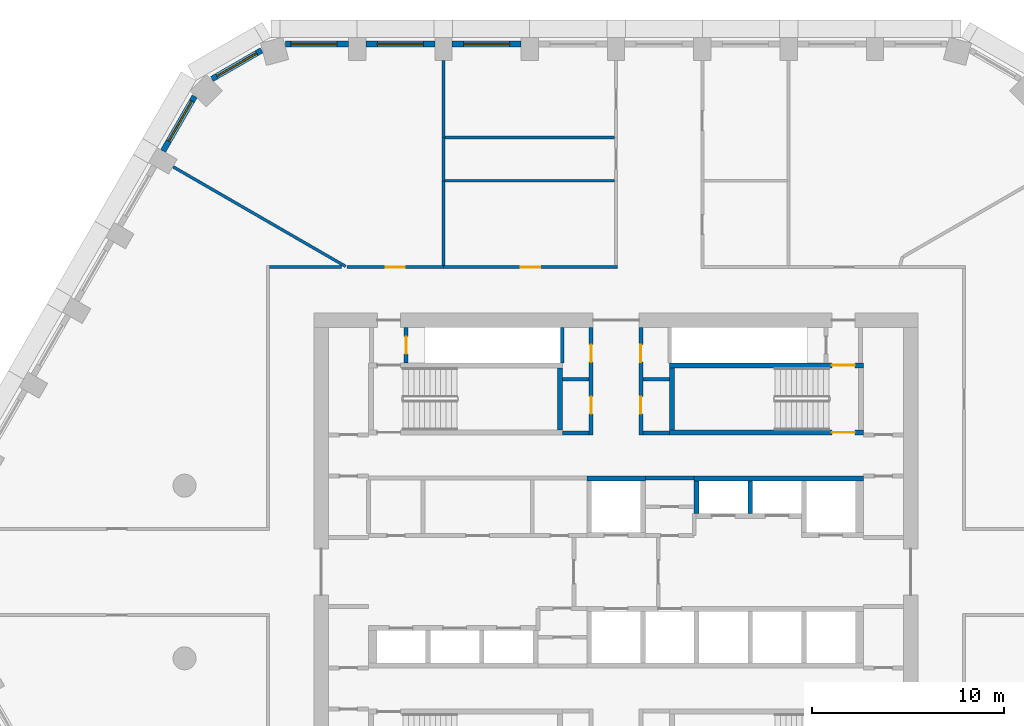
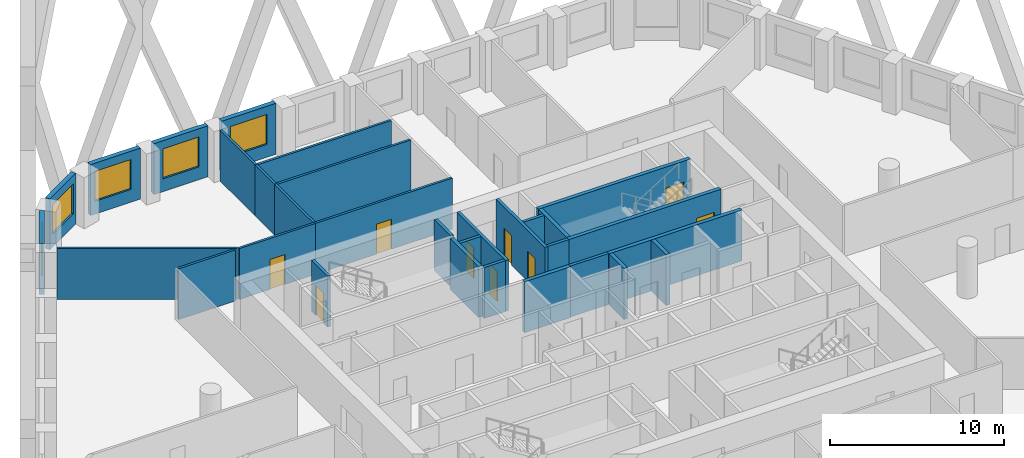
# One storey, part 6 of 17: 31 walls, 9 doors, 5 windows, 14 openings.
"""IFC4 building model written with IfcOpenShell, lengths in metres."""

from ifc_helpers import new_model, si_unit, direction, frame, frame_2d, origin, place, context, subcontext, project, spatial, polyline, rectangle, outline, extrude, material, layer, layer_set, type_object, element, fill, save


model = new_model("IFC4")

# Units and contexts
model_context = context("Model", 3, precision=1e-05, world=origin(), true_north=direction((0.0, 1.0)))
body_context = subcontext(model_context, "Body", "Model", "MODEL_VIEW")
ifc_project = project(units=[si_unit("LENGTHUNIT", "METRE"), si_unit("AREAUNIT", "SQUARE_METRE"), si_unit("VOLUMEUNIT", "CUBIC_METRE"), si_unit("PLANEANGLEUNIT", "RADIAN"), si_unit("MASSUNIT", "GRAM", prefix="KILO")], contexts=[model_context])

# Site, building, storey
site_placement = place(None, origin())
site = spatial("IfcSite", under=ifc_project, at=site_placement, CompositionType="ELEMENT")
building_placement = place(site_placement, origin())
building = spatial("IfcBuilding", under=site, at=building_placement, Name="Dhurran Vertical Campus", CompositionType="ELEMENT")
storey_placement = place(building_placement, frame((0.0, 0.0, 156.0)))
storey = spatial("IfcBuildingStorey", under=building, at=storey_placement, Name="L38", CompositionType="ELEMENT", Elevation=156.0)

# Wall, opening, window
ifc_material_1 = material(Name="Precast concrete C50/60", Category="concrete")
ifc_layer_1 = layer(ifc_material_1, 0.300048828125)
ifc_layer_set_1 = layer_set([ifc_layer_1], Name="Precast concrete C50/60")
wall_type_1 = type_object("IfcWallType", Name="Precast spandrel wall 300", PredefinedType="SOLIDWALL", material=ifc_layer_set_1)
wall_1_placement = place(storey_placement, frame((-4.950439453125, 27.53271484375, 0.0), z_axis=(0.0, 0.0, 1.0), x_axis=(-1.0, 0.0, 0.0)))
wall_1 = element("IfcWall", 1, at=wall_1_placement, inside=storey, type_object=wall_type_1, Name="EW1 L38.28", PredefinedType="SOLIDWALL", context=body_context, shape_type="SweptSolid", body=[
    extrude(rectangle(XDim=3.59912109375, YDim=0.300048828125, at=frame_2d((1.799560546875, 0.0))), origin(), (0.0, 0.0, 1.0), 3.574951171875),
])
opening_1_placement = place(wall_1_placement, frame((0.599609375, 0.0, 0.89990234375)))
opening_1 = element("IfcOpeningElement", 2, at=opening_1_placement, cuts=wall_1, Name="Opening WT1", PredefinedType="OPENING", context=body_context, shape_type="SweptSolid", body=[
    extrude(rectangle(XDim=2.39990234375, YDim=2.10009765625, at=frame_2d((1.199951171875, 1.050048828125))), frame((0.0, 0.159912109375, 0.0), z_axis=(0.0, -1.0, 0.0), x_axis=(1.0, 0.0, 0.0)), (0.0, 0.0, 1.0), 0.320068359375),
])
ifc_material_2 = material(Name="Aluminium frame with solar-control glass", Category="aluminium")
window_type = type_object("IfcWindowType", Name="Punched window 2400 x 2100", PartitioningType="SINGLE_PANEL", PredefinedType="WINDOW", material=ifc_material_2)
window_1_placement = place(opening_1_placement, origin())
window_1 = element("IfcWindow", 3, at=window_1_placement, inside=storey, type_object=window_type, Name="WT1 L38.28", OverallHeight=2.10009765625, OverallWidth=2.39990234375, PartitioningType="SINGLE_PANEL", PredefinedType="WINDOW", context=body_context, shape_type="SweptSolid", body=[
    extrude(rectangle(XDim=2.39990234375, YDim=2.10009765625, at=frame_2d((1.199951171875, 1.050048828125))), frame((0.0, 0.030029296875, 0.0), z_axis=(0.0, -1.0, 0.0), x_axis=(1.0, 0.0, 0.0)), (0.0, 0.0, 1.0), 0.06005859375),
])
fill(opening_1, window_1)

wall_2_placement = place(storey_placement, frame((-9.450439453125, 27.53271484375, 0.0), z_axis=(0.0, 0.0, 1.0), x_axis=(-1.0, 0.0, 0.0)))
wall_2 = element("IfcWall", 4, at=wall_2_placement, inside=storey, type_object=wall_type_1, Name="EW1 L38.29", PredefinedType="SOLIDWALL", context=body_context, shape_type="SweptSolid", body=[
    extrude(rectangle(XDim=3.59912109375, YDim=0.300048828125, at=frame_2d((1.799560546875, 0.0))), origin(), (0.0, 0.0, 1.0), 3.574951171875),
])
opening_2_placement = place(wall_2_placement, frame((0.599609375, 0.0, 0.89990234375)))
opening_2 = element("IfcOpeningElement", 5, at=opening_2_placement, cuts=wall_2, Name="Opening WT1", PredefinedType="OPENING", context=body_context, shape_type="SweptSolid", body=[
    extrude(rectangle(XDim=2.39990234375, YDim=2.10009765625, at=frame_2d((1.199951171875, 1.050048828125))), frame((0.0, 0.159912109375, 0.0), z_axis=(0.0, -1.0, 0.0), x_axis=(1.0, 0.0, 0.0)), (0.0, 0.0, 1.0), 0.320068359375),
])
window_2_placement = place(opening_2_placement, origin())
window_2 = element("IfcWindow", 6, at=window_2_placement, inside=storey, type_object=window_type, Name="WT1 L38.29", OverallHeight=2.10009765625, OverallWidth=2.39990234375, PartitioningType="SINGLE_PANEL", PredefinedType="WINDOW", context=body_context, shape_type="SweptSolid", body=[
    extrude(rectangle(XDim=2.39990234375, YDim=2.10009765625, at=frame_2d((1.199951171875, 1.050048828125))), frame((0.0, 0.030029296875, 0.0), z_axis=(0.0, -1.0, 0.0), x_axis=(1.0, 0.0, 0.0)), (0.0, 0.0, 1.0), 0.06005859375),
])
fill(opening_2, window_2)

wall_3_placement = place(storey_placement, frame((-13.950439453125, 27.53271484375, 0.0), z_axis=(0.0, 0.0, 1.0), x_axis=(-1.0, 0.0, 0.0)))
wall_3 = element("IfcWall", 7, at=wall_3_placement, inside=storey, type_object=wall_type_1, Name="EW1 L38.30", PredefinedType="SOLIDWALL", context=body_context, shape_type="SweptSolid", body=[
    extrude(rectangle(XDim=3.294189453125, YDim=0.300048828125, at=frame_2d((1.64697265625, 0.0))), origin(), (0.0, 0.0, 1.0), 3.574951171875),
])
opening_3_placement = place(wall_3_placement, frame((0.599609375, 0.0, 0.89990234375)))
opening_3 = element("IfcOpeningElement", 8, at=opening_3_placement, cuts=wall_3, Name="Opening WT1", PredefinedType="OPENING", context=body_context, shape_type="SweptSolid", body=[
    extrude(rectangle(XDim=2.39990234375, YDim=2.10009765625, at=frame_2d((1.199951171875, 1.050048828125))), frame((0.0, 0.159912109375, 0.0), z_axis=(0.0, -1.0, 0.0), x_axis=(1.0, 0.0, 0.0)), (0.0, 0.0, 1.0), 0.320068359375),
])
window_3_placement = place(opening_3_placement, origin())
window_3 = element("IfcWindow", 9, at=window_3_placement, inside=storey, type_object=window_type, Name="WT1 L38.30", OverallHeight=2.10009765625, OverallWidth=2.39990234375, PartitioningType="SINGLE_PANEL", PredefinedType="WINDOW", context=body_context, shape_type="SweptSolid", body=[
    extrude(rectangle(XDim=2.39990234375, YDim=2.10009765625, at=frame_2d((1.199951171875, 1.050048828125))), frame((0.0, 0.030029296875, 0.0), z_axis=(0.0, -1.0, 0.0), x_axis=(1.0, 0.0, 0.0)), (0.0, 0.0, 1.0), 0.06005859375),
])
fill(opening_3, window_3)

wall_4_placement = place(storey_placement, frame((-18.479248046875, 27.201904296875, 0.0), z_axis=(0.0, 0.0, 1.0), x_axis=(-0.866012844897, -0.500021752, 0.0)))
wall_4 = element("IfcWall", 10, at=wall_4_placement, inside=storey, type_object=wall_type_1, Name="EW1 L38.31", PredefinedType="SOLIDWALL", context=body_context, shape_type="SweptSolid", body=[
    extrude(rectangle(XDim=2.989013671875, YDim=0.300048828125, at=frame_2d((1.49462890625, 0.0))), origin(), (0.0, 0.0, 1.0), 3.574951171875),
])
opening_4_placement = place(wall_4_placement, frame((0.294677734375, 0.0, 0.89990234375)))
opening_4 = element("IfcOpeningElement", 11, at=opening_4_placement, cuts=wall_4, Name="Opening WT1", PredefinedType="OPENING", context=body_context, shape_type="SweptSolid", body=[
    extrude(rectangle(XDim=2.39990234375, YDim=2.10009765625, at=frame_2d((1.199951171875, 1.050048828125))), frame((0.0, 0.159912109375, 0.0), z_axis=(0.0, -1.0, 0.0), x_axis=(1.0, 0.0, 0.0)), (0.0, 0.0, 1.0), 0.320068359375),
])
window_4_placement = place(opening_4_placement, origin())
window_4 = element("IfcWindow", 12, at=window_4_placement, inside=storey, type_object=window_type, Name="WT1 L38.31", OverallHeight=2.10009765625, OverallWidth=2.39990234375, PartitioningType="SINGLE_PANEL", PredefinedType="WINDOW", context=body_context, shape_type="SweptSolid", body=[
    extrude(rectangle(XDim=2.39990234375, YDim=2.10009765625, at=frame_2d((1.199951171875, 1.050048828125))), frame((0.0, 0.030029296875, 0.0), z_axis=(0.0, -1.0, 0.0), x_axis=(1.0, 0.0, 0.0)), (0.0, 0.0, 1.0), 0.06005859375),
])
fill(opening_4, window_4)

wall_5_placement = place(storey_placement, frame((-21.9716796875, 24.803466796875, 0.0), z_axis=(0.0, 0.0, 1.0), x_axis=(-0.500036802197, -0.866004154983, 0.0)))
wall_5 = element("IfcWall", 13, at=wall_5_placement, inside=storey, type_object=wall_type_1, Name="EW1 L38.32", PredefinedType="SOLIDWALL", context=body_context, shape_type="SweptSolid", body=[
    extrude(rectangle(XDim=3.294189453125, YDim=0.300048828125, at=frame_2d((1.64697265625, 0.0))), origin(), (0.0, 0.0, 1.0), 3.574951171875),
])
opening_5_placement = place(wall_5_placement, frame((0.29443359375, 0.0, 0.89990234375)))
opening_5 = element("IfcOpeningElement", 14, at=opening_5_placement, cuts=wall_5, Name="Opening WT1", PredefinedType="OPENING", context=body_context, shape_type="SweptSolid", body=[
    extrude(rectangle(XDim=2.39990234375, YDim=2.10009765625, at=frame_2d((1.199951171875, 1.050048828125))), frame((0.0, 0.159912109375, 0.0), z_axis=(0.0, -1.0, 0.0), x_axis=(1.0, 0.0, 0.0)), (0.0, 0.0, 1.0), 0.320068359375),
])
window_5_placement = place(opening_5_placement, origin())
window_5 = element("IfcWindow", 15, at=window_5_placement, inside=storey, type_object=window_type, Name="WT1 L38.32", OverallHeight=2.10009765625, OverallWidth=2.39990234375, PartitioningType="SINGLE_PANEL", PredefinedType="WINDOW", context=body_context, shape_type="SweptSolid", body=[
    extrude(rectangle(XDim=2.39990234375, YDim=2.10009765625, at=frame_2d((1.199951171875, 1.050048828125))), frame((0.0, 0.030029296875, 0.0), z_axis=(0.0, -1.0, 0.0), x_axis=(1.0, 0.0, 0.0)), (0.0, 0.0, 1.0), 0.06005859375),
])
fill(opening_5, window_5)

# Walls
ifc_material_3 = material(Name="Fire-rated masonry blockwork", Category="masonry")
ifc_layer_2 = layer(ifc_material_3, 0.199951171875)
ifc_layer_set_2 = layer_set([ifc_layer_2], Name="Fire-rated masonry blockwork")
wall_type_2 = type_object("IfcWallType", Name="co-FIRE-PARTITION-200", PredefinedType="PARTITIONING", material=ifc_layer_set_2)
for number, where, z_axis, x_axis, name in (
    (16, (-2.800048828125, 7.25, 0.0), (0.0, 0.0, 1.0), (1.0, 0.0, 0.0), "Core partition sl-NW-S L38"),
    (17, (-2.800048828125, 10.050048828125, 0.0), (0.0, 0.0, 1.0), (1.0, 0.0, 0.0), "Core partition sl-NW-cut0 L38"),
    (18, (1.39990234375, 7.25, 0.0), (0.0, 0.0, 1.0), (1.0, 0.0, 0.0), "Core partition sl-NE-S L38"),
    (19, (1.39990234375, 10.050048828125, 0.0), (0.0, 0.0, 1.0), (1.0, 0.0, 0.0), "Core partition sl-NE-cut0 L38"),
):
    element("IfcWall", number, at=place(storey_placement, frame(where, z_axis=z_axis, x_axis=x_axis)), inside=storey, type_object=wall_type_2, Name=name, PredefinedType="PARTITIONING", context=body_context, shape_type="SweptSolid", body=[
        extrude(rectangle(XDim=1.400146484375, YDim=0.199951171875, at=frame_2d((0.7001953125, 0.0))), origin(), (0.0, 0.0, 1.0), 3.574951171875),
    ])

# Wall, openings, doors
wall_6_placement = place(storey_placement, frame((-1.300048828125, 7.14990234375, 0.0), z_axis=(0.0, 0.0, 1.0), x_axis=(0.0, 1.0, 0.0)))
wall_6 = element("IfcWall", 20, at=wall_6_placement, inside=storey, type_object=wall_type_2, Name="Core partition vest-NW L38", PredefinedType="PARTITIONING", context=body_context, shape_type="SweptSolid", body=[
    extrude(rectangle(XDim=5.60009765625, YDim=0.199951171875, at=frame_2d((2.800048828125, 0.0))), origin(), (0.0, 0.0, 1.0), 3.574951171875),
])
opening_6_placement = place(wall_6_placement, frame((1.10009765625, 0.0, 0.0)))
opening_6 = element("IfcOpeningElement", 21, at=opening_6_placement, cuts=wall_6, Name="Opening T11-C4", PredefinedType="OPENING", context=body_context, shape_type="SweptSolid", body=[
    extrude(rectangle(XDim=0.89990234375, YDim=2.10009765625, at=frame_2d((0.449951171875, 1.050048828125))), frame((0.0, 0.10986328125, 0.0), z_axis=(0.0, -1.0, 0.0), x_axis=(1.0, 0.0, 0.0)), (0.0, 0.0, 1.0), 0.219970703125),
])
opening_7_placement = place(wall_6_placement, frame((3.800048828125, 0.0, 0.0)))
opening_7 = element("IfcOpeningElement", 22, at=opening_7_placement, cuts=wall_6, Name="Opening T11-C5", PredefinedType="OPENING", context=body_context, shape_type="SweptSolid", body=[
    extrude(rectangle(XDim=0.89990234375, YDim=2.10009765625, at=frame_2d((0.449951171875, 1.050048828125))), frame((0.0, 0.10986328125, 0.0), z_axis=(0.0, -1.0, 0.0), x_axis=(1.0, 0.0, 0.0)), (0.0, 0.0, 1.0), 0.219970703125),
])
ifc_material_4 = material(Name="Fire-rated timber door set", Category="wood")
door_type_1 = type_object("IfcDoorType", Name="co-D-ROOM 900x2100", OperationType="SINGLE_SWING_LEFT", PredefinedType="DOOR", material=ifc_material_4)
door_1_placement = place(opening_6_placement, origin())
door_1 = element("IfcDoor", 23, at=door_1_placement, inside=storey, type_object=door_type_1, Name="Print room door L38", OperationType="SINGLE_SWING_LEFT", OverallHeight=2.10009765625, OverallWidth=0.89990234375, PredefinedType="DOOR", context=body_context, shape_type="SweptSolid", body=[
    extrude(rectangle(XDim=0.89990234375, YDim=2.10009765625, at=frame_2d((0.449951171875, 1.050048828125))), frame((0.0, 0.02490234375, 0.0), z_axis=(0.0, -1.0, 0.0), x_axis=(1.0, 0.0, 0.0)), (0.0, 0.0, 1.0), 0.050048828125),
])
fill(opening_6, door_1)
door_2_placement = place(opening_7_placement, origin())
door_2 = element("IfcDoor", 24, at=door_2_placement, inside=storey, type_object=door_type_1, Name="Fire equipment store door L38", OperationType="SINGLE_SWING_LEFT", OverallHeight=2.10009765625, OverallWidth=0.89990234375, PredefinedType="DOOR", context=body_context, shape_type="SweptSolid", body=[
    extrude(rectangle(XDim=0.89990234375, YDim=2.10009765625, at=frame_2d((0.449951171875, 1.050048828125))), frame((0.0, 0.02490234375, 0.0), z_axis=(0.0, -1.0, 0.0), x_axis=(1.0, 0.0, 0.0)), (0.0, 0.0, 1.0), 0.050048828125),
])
fill(opening_7, door_2)

wall_7_placement = place(storey_placement, frame((1.300048828125, 7.14990234375, 0.0), z_axis=(0.0, 0.0, 1.0), x_axis=(0.0, 1.0, 0.0)))
wall_7 = element("IfcWall", 25, at=wall_7_placement, inside=storey, type_object=wall_type_2, Name="Core partition vest-NE L38", PredefinedType="PARTITIONING", context=body_context, shape_type="SweptSolid", body=[
    extrude(rectangle(XDim=5.60009765625, YDim=0.199951171875, at=frame_2d((2.800048828125, 0.0))), origin(), (0.0, 0.0, 1.0), 3.574951171875),
])
opening_8_placement = place(wall_7_placement, frame((1.10009765625, 0.0, 0.0)))
opening_8 = element("IfcOpeningElement", 26, at=opening_8_placement, cuts=wall_7, Name="Opening T11-C6", PredefinedType="OPENING", context=body_context, shape_type="SweptSolid", body=[
    extrude(rectangle(XDim=0.89990234375, YDim=2.10009765625, at=frame_2d((0.449951171875, 1.050048828125))), frame((0.0, 0.10986328125, 0.0), z_axis=(0.0, -1.0, 0.0), x_axis=(1.0, 0.0, 0.0)), (0.0, 0.0, 1.0), 0.219970703125),
])
opening_9_placement = place(wall_7_placement, frame((3.800048828125, 0.0, 0.0)))
opening_9 = element("IfcOpeningElement", 27, at=opening_9_placement, cuts=wall_7, Name="Opening T11-C7", PredefinedType="OPENING", context=body_context, shape_type="SweptSolid", body=[
    extrude(rectangle(XDim=0.89990234375, YDim=2.10009765625, at=frame_2d((0.449951171875, 1.050048828125))), frame((0.0, 0.10986328125, 0.0), z_axis=(0.0, -1.0, 0.0), x_axis=(1.0, 0.0, 0.0)), (0.0, 0.0, 1.0), 0.219970703125),
])
door_3_placement = place(opening_8_placement, origin())
door_3 = element("IfcDoor", 28, at=door_3_placement, inside=storey, type_object=door_type_1, Name="Pantry door L38", OperationType="SINGLE_SWING_LEFT", OverallHeight=2.10009765625, OverallWidth=0.89990234375, PredefinedType="DOOR", context=body_context, shape_type="SweptSolid", body=[
    extrude(rectangle(XDim=0.89990234375, YDim=2.10009765625, at=frame_2d((0.449951171875, 1.050048828125))), frame((0.0, 0.02490234375, 0.0), z_axis=(0.0, -1.0, 0.0), x_axis=(1.0, 0.0, 0.0)), (0.0, 0.0, 1.0), 0.050048828125),
])
fill(opening_8, door_3)
door_4_placement = place(opening_9_placement, origin())
door_4 = element("IfcDoor", 29, at=door_4_placement, inside=storey, type_object=door_type_1, Name="Water riser door L38", OperationType="SINGLE_SWING_LEFT", OverallHeight=2.10009765625, OverallWidth=0.89990234375, PredefinedType="DOOR", context=body_context, shape_type="SweptSolid", body=[
    extrude(rectangle(XDim=0.89990234375, YDim=2.10009765625, at=frame_2d((0.449951171875, 1.050048828125))), frame((0.0, 0.02490234375, 0.0), z_axis=(0.0, -1.0, 0.0), x_axis=(1.0, 0.0, 0.0)), (0.0, 0.0, 1.0), 0.050048828125),
])
fill(opening_9, door_4)

# Wall, opening, door
wall_8_placement = place(storey_placement, frame((-10.949951171875, 10.89990234375, 0.0), z_axis=(0.0, 0.0, 1.0), x_axis=(0.0, 1.0, 0.0)))
wall_8 = element("IfcWall", 30, at=wall_8_placement, inside=storey, type_object=wall_type_2, Name="Core partition pass-ST1-i L38", PredefinedType="PARTITIONING", context=body_context, shape_type="SweptSolid", body=[
    extrude(rectangle(XDim=1.85009765625, YDim=0.199951171875, at=frame_2d((0.925048828125, 0.0))), origin(), (0.0, 0.0, 1.0), 3.574951171875),
])
opening_10_placement = place(wall_8_placement, frame((0.47509765625, 0.0, 0.0)))
opening_10 = element("IfcOpeningElement", 31, at=opening_10_placement, cuts=wall_8, Name="Opening T11-C8", PredefinedType="OPENING", context=body_context, shape_type="SweptSolid", body=[
    extrude(rectangle(XDim=0.89990234375, YDim=2.10009765625, at=frame_2d((0.449951171875, 1.050048828125))), frame((0.0, 0.10986328125, 0.0), z_axis=(0.0, -1.0, 0.0), x_axis=(1.0, 0.0, 0.0)), (0.0, 0.0, 1.0), 0.219970703125),
])
door_5_placement = place(opening_10_placement, origin())
door_5 = element("IfcDoor", 32, at=door_5_placement, inside=storey, type_object=door_type_1, Name="Riser room door L38", OperationType="SINGLE_SWING_LEFT", OverallHeight=2.10009765625, OverallWidth=0.89990234375, PredefinedType="DOOR", context=body_context, shape_type="SweptSolid", body=[
    extrude(rectangle(XDim=0.89990234375, YDim=2.10009765625, at=frame_2d((0.449951171875, 1.050048828125))), frame((0.0, 0.02490234375, 0.0), z_axis=(0.0, -1.0, 0.0), x_axis=(1.0, 0.0, 0.0)), (0.0, 0.0, 1.0), 0.050048828125),
])
fill(opening_10, door_5)

# Walls
wall_9_placement = place(storey_placement, frame((1.52490234375, 4.89990234375, 0.0), z_axis=(0.0, 0.0, 1.0), x_axis=(1.0, 0.0, 0.0)))
element("IfcWall", 33, at=wall_9_placement, inside=storey, type_object=wall_type_2, Name="Core partition fr-N1-b L38", PredefinedType="PARTITIONING", context=body_context, shape_type="SweptSolid", body=[
    extrude(rectangle(XDim=2.550048828125, YDim=0.199951171875, at=frame_2d((1.27490234375, 0.0))), origin(), (0.0, 0.0, 1.0), 3.574951171875),
])
wall_10_placement = place(storey_placement, frame((-2.800048828125, 10.90087890625, 0.0), z_axis=(0.0, 0.0, 1.0), x_axis=(0.0, 1.0, 0.0)))
element("IfcWall", 34, at=wall_10_placement, inside=storey, type_object=wall_type_2, Name="Riser enclosure wall L38", PredefinedType="PARTITIONING", context=body_context, shape_type="SweptSolid", body=[
    extrude(rectangle(XDim=1.84814453125, YDim=0.199951171875, at=frame_2d((0.924072265625, 0.0))), origin(), (0.0, 0.0, 1.0), 3.574951171875),
])
ifc_material_5 = material(Name="Concrete C50/60", Category="concrete")
ifc_layer_3 = layer(ifc_material_5, 0.25)
ifc_layer_set_3 = layer_set([ifc_layer_3], Name="Concrete C50/60")
wall_type_3 = type_object("IfcWallType", Name="co-SHAFT-MASS-250", PredefinedType="SHEAR", material=ifc_layer_set_3)
wall_11_placement = place(storey_placement, origin())
element("IfcWall", 35, at=wall_11_placement, inside=storey, type_object=wall_type_3, Name="Lift shaft wall N L38 1", PredefinedType="SHEAR", context=body_context, shape_type="SweptSolid", body=[
    extrude(outline(polyline([(-1.52490234375, 4.75), (1.52490234375, 4.75), (1.52490234375, 5.0), (-1.52490234375, 5.0), (-1.52490234375, 4.75)])), origin(), (0.0, 0.0, 1.0), 3.574951171875),
])
wall_12_placement = place(storey_placement, origin())
element("IfcWall", 36, at=wall_12_placement, inside=storey, type_object=wall_type_3, Name="Lift shaft wall N L38 2", PredefinedType="SHEAR", context=body_context, shape_type="SweptSolid", body=[
    extrude(outline(polyline([(4.074951171875, 4.75), (12.89990234375, 4.75), (12.89990234375, 5.0), (4.074951171875, 5.0), (4.074951171875, 4.75)])), origin(), (0.0, 0.0, 1.0), 3.574951171875),
])
wall_13_placement = place(storey_placement, origin())
element("IfcWall", 37, at=wall_13_placement, inside=storey, type_object=wall_type_3, Name="Lift shaft wall N L38 7", PredefinedType="SHEAR", context=body_context, shape_type="SweptSolid", body=[
    extrude(outline(polyline([(4.074951171875, 3.050048828125), (4.324951171875, 3.050048828125), (4.324951171875, 4.75), (4.074951171875, 4.75), (4.074951171875, 3.050048828125)])), origin(), (0.0, 0.0, 1.0), 3.574951171875),
])
wall_14_placement = place(storey_placement, origin())
element("IfcWall", 38, at=wall_14_placement, inside=storey, type_object=wall_type_3, Name="Lift shaft wall N L38 8", PredefinedType="SHEAR", context=body_context, shape_type="SweptSolid", body=[
    extrude(outline(polyline([(6.875, 3.050048828125), (7.125, 3.050048828125), (7.125, 4.75), (6.875, 4.75), (6.875, 3.050048828125)])), origin(), (0.0, 0.0, 1.0), 3.574951171875),
])
ifc_material_6 = material(Name="Concrete C40/50", Category="concrete")
ifc_layer_4 = layer(ifc_material_6, 0.25)
ifc_layer_set_4 = layer_set([ifc_layer_4], Name="Concrete C40/50")
wall_type_4 = type_object("IfcWallType", Name="co-STAIR-WALL-250", PredefinedType="SHEAR", material=ifc_layer_set_4)
wall_15_placement = place(storey_placement, frame((-2.925048828125, 7.39990234375, 0.0), z_axis=(0.0, 0.0, 1.0), x_axis=(0.0, 1.0, 0.0)))
element("IfcWall", 39, at=wall_15_placement, inside=storey, type_object=wall_type_4, Name="Stair ST1 enclosure wall L38", PredefinedType="SHEAR", context=body_context, shape_type="SweptSolid", body=[
    extrude(rectangle(XDim=3.25, YDim=0.25, at=frame_2d((1.625, 0.0))), origin(), (0.0, 0.0, 1.0), 3.574951171875),
])

# Wall, opening, door
wall_16_placement = place(storey_placement, frame((2.800048828125, 7.27490234375, 0.0), z_axis=(0.0, 0.0, 1.0), x_axis=(1.0, 0.0, 0.0)))
wall_16 = element("IfcWall", 40, at=wall_16_placement, inside=storey, type_object=wall_type_4, Name="Stair ST2 enclosure wall L38", PredefinedType="SHEAR", context=body_context, shape_type="SweptSolid", body=[
    extrude(rectangle(XDim=10.099853515625, YDim=0.25, at=frame_2d((5.0498046875, 0.0))), origin(), (0.0, 0.0, 1.0), 3.574951171875),
])
opening_11_placement = place(wall_16_placement, frame((8.449951171875, 0.0, 0.0)))
opening_11 = element("IfcOpeningElement", 41, at=opening_11_placement, cuts=wall_16, Name="Opening SD2", PredefinedType="OPENING", context=body_context, shape_type="SweptSolid", body=[
    extrude(rectangle(XDim=1.199951171875, YDim=2.10009765625, at=frame_2d((0.60009765625, 1.050048828125))), frame((0.0, 0.135009765625, 0.0), z_axis=(0.0, -1.0, 0.0), x_axis=(1.0, 0.0, 0.0)), (0.0, 0.0, 1.0), 0.27001953125),
])
ifc_material_7 = material(Name="Fire-rated steel door set", Category="steel")
door_type_2 = type_object("IfcDoorType", Name="co-D-STAIR 1200x2100", OperationType="SINGLE_SWING_LEFT", PredefinedType="DOOR", material=ifc_material_7)
door_6_placement = place(opening_11_placement, origin())
door_6 = element("IfcDoor", 42, at=door_6_placement, inside=storey, type_object=door_type_2, Name="Stair ST2 door L38", OperationType="SINGLE_SWING_LEFT", OverallHeight=2.10009765625, OverallWidth=1.199951171875, PredefinedType="DOOR", context=body_context, shape_type="SweptSolid", body=[
    extrude(rectangle(XDim=1.199951171875, YDim=2.10009765625, at=frame_2d((0.60009765625, 1.050048828125))), frame((0.0, 0.02490234375, 0.0), z_axis=(0.0, -1.0, 0.0), x_axis=(1.0, 0.0, 0.0)), (0.0, 0.0, 1.0), 0.050048828125),
])
fill(opening_11, door_6)

wall_17_placement = place(storey_placement, frame((2.800048828125, 10.77490234375, 0.0), z_axis=(0.0, 0.0, 1.0), x_axis=(1.0, 0.0, 0.0)))
wall_17 = element("IfcWall", 43, at=wall_17_placement, inside=storey, type_object=wall_type_4, Name="Stair ST2 enclosure wall L38", PredefinedType="SHEAR", context=body_context, shape_type="SweptSolid", body=[
    extrude(rectangle(XDim=10.099853515625, YDim=0.25, at=frame_2d((5.0498046875, 0.0))), origin(), (0.0, 0.0, 1.0), 3.574951171875),
])
opening_12_placement = place(wall_17_placement, frame((8.449951171875, 0.0, 0.0)))
opening_12 = element("IfcOpeningElement", 44, at=opening_12_placement, cuts=wall_17, Name="Opening XS2", PredefinedType="OPENING", context=body_context, shape_type="SweptSolid", body=[
    extrude(rectangle(XDim=1.199951171875, YDim=2.10009765625, at=frame_2d((0.60009765625, 1.050048828125))), frame((0.0, 0.135009765625, 0.0), z_axis=(0.0, -1.0, 0.0), x_axis=(1.0, 0.0, 0.0)), (0.0, 0.0, 1.0), 0.27001953125),
])
ifc_material_8 = material(Name="Fire-rated steel door set", Category="steel")
door_type_3 = type_object("IfcDoorType", Name="co-D-STAIR-EXIT 1200x2100", OperationType="SINGLE_SWING_RIGHT", PredefinedType="DOOR", material=ifc_material_8)
door_7_placement = place(opening_12_placement, origin())
door_7 = element("IfcDoor", 45, at=door_7_placement, inside=storey, type_object=door_type_3, Name="Stair ST2 discharge door L38", OperationType="SINGLE_SWING_RIGHT", OverallHeight=2.10009765625, OverallWidth=1.199951171875, PredefinedType="DOOR", context=body_context, shape_type="SweptSolid", body=[
    extrude(rectangle(XDim=1.199951171875, YDim=2.10009765625, at=frame_2d((0.60009765625, 1.050048828125))), frame((0.0, 0.02490234375, 0.0), z_axis=(0.0, -1.0, 0.0), x_axis=(1.0, 0.0, 0.0)), (0.0, 0.0, 1.0), 0.050048828125),
])
fill(opening_12, door_7)

# Walls
wall_18_placement = place(storey_placement, frame((2.925048828125, 7.39990234375, 0.0), z_axis=(0.0, 0.0, 1.0), x_axis=(0.0, 1.0, 0.0)))
element("IfcWall", 46, at=wall_18_placement, inside=storey, type_object=wall_type_4, Name="Stair ST2 enclosure wall L38", PredefinedType="SHEAR", context=body_context, shape_type="SweptSolid", body=[
    extrude(rectangle(XDim=3.25, YDim=0.25, at=frame_2d((1.625, 0.0))), origin(), (0.0, 0.0, 1.0), 3.574951171875),
])
ifc_material_9 = material(Name="Gypsum board corridor wall on steel studs", Category="steel")
ifc_layer_5 = layer(ifc_material_9, 0.14990234375)
ifc_layer_set_5 = layer_set([ifc_layer_5], Name="Gypsum board corridor wall on steel studs")
wall_type_5 = type_object("IfcWallType", Name="fl-CW-150 corridor wall", PredefinedType="PARTITIONING", material=ifc_layer_set_5)
wall_19_placement = place(storey_placement, frame((-14.31494140625, 15.89990234375, 0.0), z_axis=(0.0, 0.0, 1.0), x_axis=(-1.0, 0.0, 0.0)))
element("IfcWall", 47, at=wall_19_placement, inside=storey, type_object=wall_type_5, Name="Partition 38-10", PredefinedType="PARTITIONING", context=body_context, shape_type="SweptSolid", body=[
    extrude(rectangle(XDim=3.760009765625, YDim=0.14990234375, at=frame_2d((1.8798828125, 0.0))), origin(), (0.0, 0.0, 1.0), 3.574951171875),
])

# Wall, opening, door
wall_20_placement = place(storey_placement, frame((-9.0, 15.89990234375, 0.0), z_axis=(0.0, 0.0, 1.0), x_axis=(-1.0, 0.0, 0.0)))
wall_20 = element("IfcWall", 48, at=wall_20_placement, inside=storey, type_object=wall_type_5, Name="Partition 38-11", PredefinedType="PARTITIONING", context=body_context, shape_type="SweptSolid", body=[
    extrude(rectangle(XDim=5.0400390625, YDim=0.14990234375, at=frame_2d((2.52001953125, 0.0))), origin(), (0.0, 0.0, 1.0), 3.574951171875),
])
opening_13_placement = place(wall_20_placement, frame((2.02001953125, 0.0, 0.0)))
opening_13 = element("IfcOpeningElement", 49, at=opening_13_placement, cuts=wall_20, Name="Opening T11.04", PredefinedType="OPENING", context=body_context, shape_type="SweptSolid", body=[
    extrude(rectangle(XDim=1.0, YDim=2.10009765625, at=frame_2d((0.5, 1.050048828125))), frame((0.0, 0.0849609375, 0.0), z_axis=(0.0, -1.0, 0.0), x_axis=(1.0, 0.0, 0.0)), (0.0, 0.0, 1.0), 0.169921875),
])
ifc_material_10 = material(Name="Solid-core timber door set, fire-rated", Category="wood")
door_type_4 = type_object("IfcDoorType", Name="fl-D-1000x2100", OperationType="SINGLE_SWING_LEFT", PredefinedType="DOOR", material=ifc_material_10)
door_8_placement = place(opening_13_placement, origin())
door_8 = element("IfcDoor", 50, at=door_8_placement, inside=storey, type_object=door_type_4, Name="Door 38.04", OperationType="SINGLE_SWING_LEFT", OverallHeight=2.10009765625, OverallWidth=1.0, PredefinedType="DOOR", context=body_context, shape_type="SweptSolid", body=[
    extrude(rectangle(XDim=1.0, YDim=2.10009765625, at=frame_2d((0.5, 1.050048828125))), frame((0.0, 0.02490234375, 0.0), z_axis=(0.0, -1.0, 0.0), x_axis=(1.0, 0.0, 0.0)), (0.0, 0.0, 1.0), 0.050048828125),
])
fill(opening_13, door_8)

wall_21_placement = place(storey_placement, frame((0.074951171875, 15.89990234375, 0.0), z_axis=(0.0, 0.0, 1.0), x_axis=(-1.0, 0.0, 0.0)))
wall_21 = element("IfcWall", 51, at=wall_21_placement, inside=storey, type_object=wall_type_5, Name="Partition 38-16", PredefinedType="PARTITIONING", context=body_context, shape_type="SweptSolid", body=[
    extrude(rectangle(XDim=9.074951171875, YDim=0.14990234375, at=frame_2d((4.53759765625, 0.0))), origin(), (0.0, 0.0, 1.0), 3.574951171875),
])
opening_14_placement = place(wall_21_placement, frame((4.03759765625, 0.0, 0.0)))
opening_14 = element("IfcOpeningElement", 52, at=opening_14_placement, cuts=wall_21, Name="Opening T11.06", PredefinedType="OPENING", context=body_context, shape_type="SweptSolid", body=[
    extrude(rectangle(XDim=1.0, YDim=2.10009765625, at=frame_2d((0.5, 1.050048828125))), frame((0.0, 0.0849609375, 0.0), z_axis=(0.0, -1.0, 0.0), x_axis=(1.0, 0.0, 0.0)), (0.0, 0.0, 1.0), 0.169921875),
])
door_9_placement = place(opening_14_placement, origin())
door_9 = element("IfcDoor", 53, at=door_9_placement, inside=storey, type_object=door_type_4, Name="Door 38.06", OperationType="SINGLE_SWING_RIGHT", OverallHeight=2.10009765625, OverallWidth=1.0, PredefinedType="DOOR", context=body_context, shape_type="SweptSolid", body=[
    extrude(rectangle(XDim=1.0, YDim=2.10009765625, at=frame_2d((0.5, 1.050048828125))), frame((0.0, 0.02490234375, 0.0), z_axis=(0.0, -1.0, 0.0), x_axis=(1.0, 0.0, 0.0)), (0.0, 0.0, 1.0), 0.050048828125),
])
fill(opening_14, door_9)

# Walls
ifc_material_11 = material(Name="Folding acoustic partition panels")
ifc_layer_6 = layer(ifc_material_11, 0.14990234375)
ifc_layer_set_6 = layer_set([ifc_layer_6], Name="Folding acoustic partition panels")
wall_type_6 = type_object("IfcWallType", Name="fl-MW-150 movable partition", PredefinedType="MOVABLE", material=ifc_layer_set_6)
wall_22_placement = place(storey_placement, frame((-9.0, 26.66259765625, 0.0), z_axis=(0.0, 0.0, 1.0), x_axis=(0.0, -1.0, 0.0)))
element("IfcWall", 54, at=wall_22_placement, inside=storey, type_object=wall_type_6, Name="Partition 38-19", PredefinedType="MOVABLE", context=body_context, shape_type="SweptSolid", body=[
    extrude(rectangle(XDim=4.0126953125, YDim=0.14990234375, at=frame_2d((2.00634765625, 0.0))), origin(), (0.0, 0.0, 1.0), 3.574951171875),
])
ifc_material_12 = material(Name="Gypsum board partition on steel studs", Category="steel")
ifc_layer_7 = layer(ifc_material_12, 0.14990234375)
ifc_layer_set_7 = layer_set([ifc_layer_7], Name="Gypsum board partition on steel studs")
wall_type_7 = type_object("IfcWallType", Name="fl-PW-150 fixed partition", PredefinedType="PARTITIONING", material=ifc_layer_set_7)
wall_23_placement = place(storey_placement, frame((-23.09033203125, 21.1259765625, 0.0), z_axis=(0.0, 0.0, 1.0), x_axis=(0.86599279096, -0.500056482814, 0.0)))
element("IfcWall", 55, at=wall_23_placement, inside=storey, type_object=wall_type_7, Name="Partition 38-04", PredefinedType="PARTITIONING", context=body_context, shape_type="SweptSolid", body=[
    extrude(rectangle(XDim=10.375732421875, YDim=0.14990234375, at=frame_2d((5.18798828125, 0.0))), origin(), (0.0, 0.0, 1.0), 3.574951171875),
])
wall_24_placement = place(storey_placement, frame((-9.0, 20.39990234375, 0.0), z_axis=(0.0, 0.0, 1.0), x_axis=(0.0, -1.0, 0.0)))
element("IfcWall", 56, at=wall_24_placement, inside=storey, type_object=wall_type_7, Name="Partition 38-15", PredefinedType="PARTITIONING", context=body_context, shape_type="SweptSolid", body=[
    extrude(rectangle(XDim=4.4248046875, YDim=0.14990234375, at=frame_2d((2.21240234375, 0.0))), origin(), (0.0, 0.0, 1.0), 3.574951171875),
])
wall_25_placement = place(storey_placement, frame((-9.0, 22.64990234375, 0.0), z_axis=(0.0, 0.0, 1.0), x_axis=(0.0, -1.0, 0.0)))
element("IfcWall", 57, at=wall_25_placement, inside=storey, type_object=wall_type_7, Name="Partition 38-17", PredefinedType="PARTITIONING", context=body_context, shape_type="SweptSolid", body=[
    extrude(rectangle(XDim=2.25, YDim=0.14990234375, at=frame_2d((1.125, 0.0))), origin(), (0.0, 0.0, 1.0), 3.574951171875),
])
for number, where, z_axis, x_axis, name in (
    (58, (-8.925048828125, 20.39990234375, 0.0), (0.0, 0.0, 1.0), (1.0, 0.0, 0.0), "Partition 38-18"),
    (59, (-8.925048828125, 22.64990234375, 0.0), (0.0, 0.0, 1.0), (1.0, 0.0, 0.0), "Partition 38-20"),
):
    element("IfcWall", number, at=place(storey_placement, frame(where, z_axis=z_axis, x_axis=x_axis)), inside=storey, type_object=wall_type_7, Name=name, PredefinedType="PARTITIONING", context=body_context, shape_type="SweptSolid", body=[
        extrude(rectangle(XDim=8.85009765625, YDim=0.14990234375, at=frame_2d((4.425048828125, 0.0))), origin(), (0.0, 0.0, 1.0), 3.574951171875),
    ])

save(model, "model.ifc")
